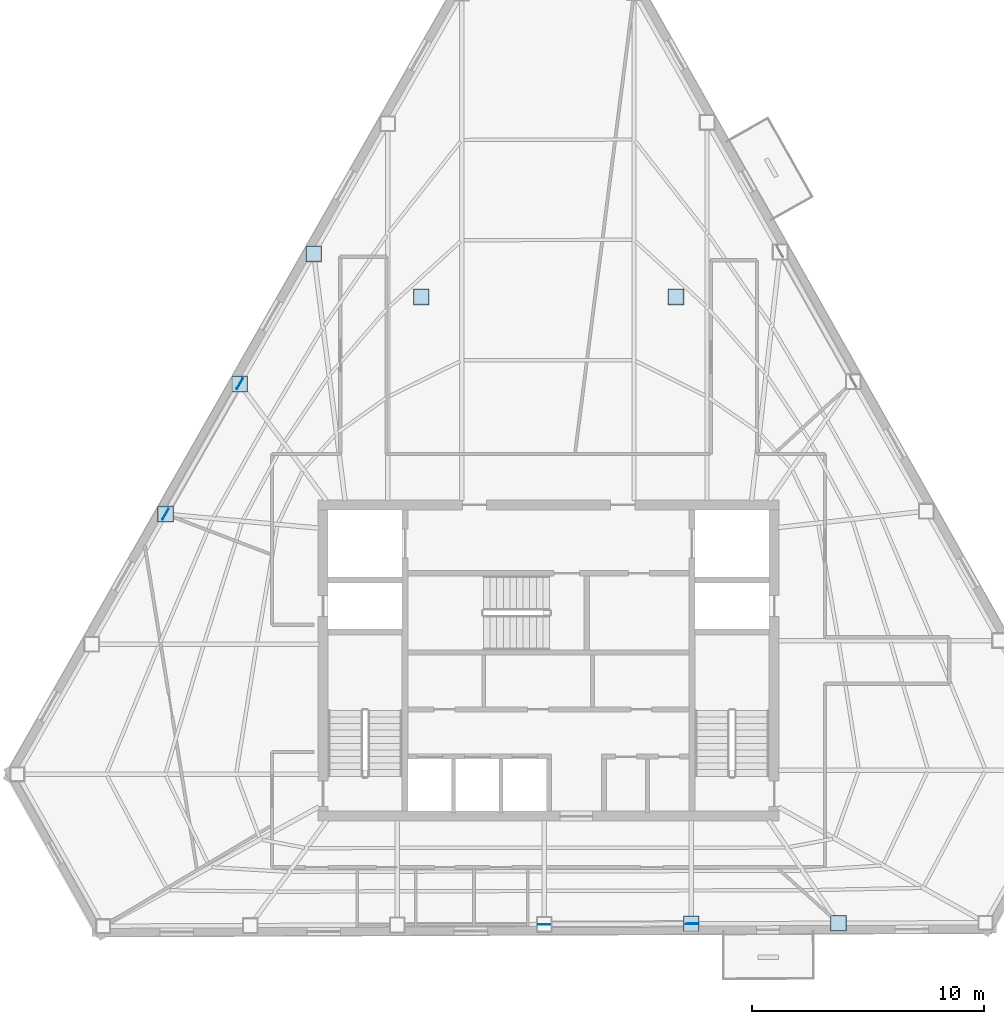
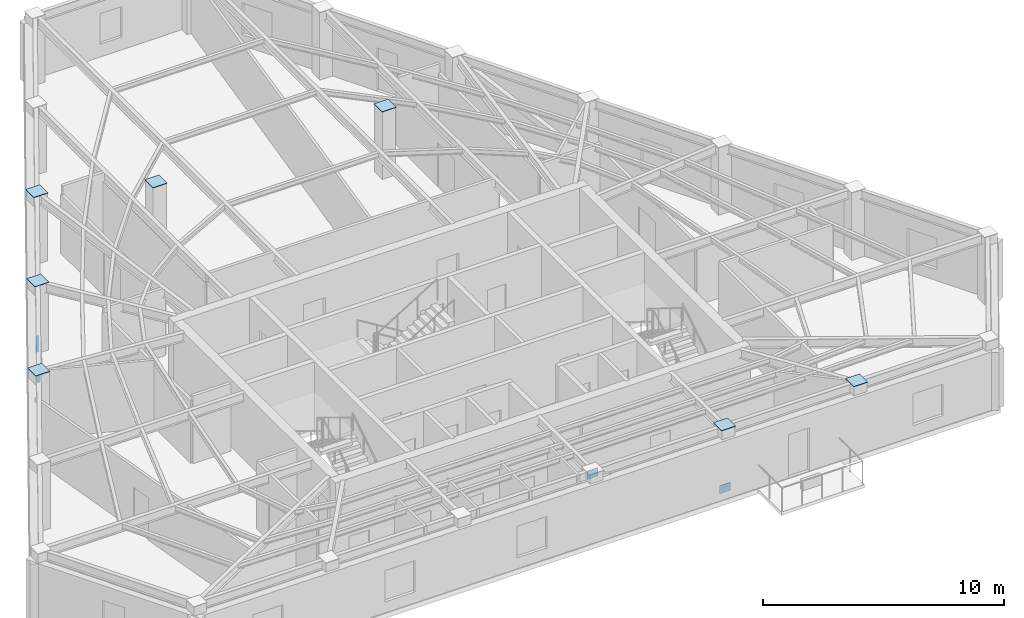
# One storey, part 4 of 10: 11 plates.
"""IFC4 building model written with IfcOpenShell, lengths in metres."""

from ifc_helpers import new_model, si_unit, direction, frame, origin, origin_2d, place, context, subcontext, project, spatial, rectangle, extrude, material, layer, layer_set, type_object, element, save


model = new_model("IFC4")

# Units and contexts
model_context = context("Model", 3, precision=1e-05, world=origin(), true_north=direction((0.0, 1.0)))
body_context = subcontext(model_context, "Body", "Model", "MODEL_VIEW")
ifc_project = project(units=[si_unit("LENGTHUNIT", "METRE"), si_unit("AREAUNIT", "SQUARE_METRE"), si_unit("VOLUMEUNIT", "CUBIC_METRE"), si_unit("PLANEANGLEUNIT", "RADIAN"), si_unit("MASSUNIT", "GRAM", prefix="KILO")], contexts=[model_context])

# Site, building, storey
site_placement = place(None, origin())
site = spatial("IfcSite", under=ifc_project, at=site_placement, CompositionType="ELEMENT")
building_placement = place(site_placement, origin())
building = spatial("IfcBuilding", under=site, at=building_placement, Name="Kavelnor Concourse Tower", CompositionType="ELEMENT")
storey_placement = place(building_placement, frame((0.0, 0.0, 230.449951171875)))
storey = spatial("IfcBuildingStorey", under=building, at=storey_placement, Name="L58", CompositionType="ELEMENT", Elevation=230.449951171875)

# Plates
ifc_material = material(Name="Steel Grade 350", Category="steel")
ifc_layer_1 = layer(ifc_material, 0.031982421875, Name="Steel Grade 350")
ifc_layer_set_1 = layer_set([ifc_layer_1], Name="Steel Grade 350")
plate_type_1 = type_object("IfcPlateType", Name="PL-GUSSET-TUBE-Z1", PredefinedType="USERDEFINED", material=ifc_layer_set_1)
for number, where, z_axis, x_axis, name in (
    (1, (24.66650390625, 28.052001953125, 0.010009765625), (0.0, 0.0, 1.0), (-0.494700455876, -0.869063552887, 0.0), "L58 Tube Brace Gusset GP3 F0-B3 End Gusset A"),
    (2, (21.456298828125, 22.412109375, 2.989990234375), (0.0, 0.0, 1.0), (-0.494700455876, -0.869063552887, 0.0), "L58 Tube Brace Gusset GP3 F0-B3 End Gusset B"),
    (3, (44.177734375, 4.728759765625, 0.010009765625), (0.0, 0.0, 1.0), (-0.999992628267, -0.003839714919, 0.0), "L58 Tube Brace Gusset GP3 F1-B3 End Gusset A"),
    (4, (37.802734375, 4.7041015625, 2.989990234375), (0.0, 0.0, 1.0), (-0.999992628267, -0.003839714919, 0.0), "L58 Tube Brace Gusset GP3 F1-B3 End Gusset B"),
):
    element("IfcPlate", number, at=place(storey_placement, frame(where, z_axis=z_axis, x_axis=x_axis)), inside=storey, type_object=plate_type_1, Name=name, ObjectType="GUSSET_PLATE", PredefinedType="USERDEFINED", context=body_context, shape_type="SweptSolid", body=[
        extrude(rectangle(XDim=0.52001953125, YDim=0.031982421875, at=origin_2d()), origin(), (0.0, 0.0, 1.0), 0.419921875),
    ])
ifc_layer_2 = layer(ifc_material, 0.02490234375, Name="Steel Grade 350")
ifc_layer_set_2 = layer_set([ifc_layer_2], Name="Steel Grade 350")
plate_type_2 = type_object("IfcPlateType", Name="PL-SPLICE-FLANGE", PredefinedType="SHEET", material=ifc_layer_set_2)
for number, where, z_axis, x_axis, name in (
    (5, (27.859375, 33.66064453125, 3.427001953125), (0.0, 0.0, 1.0), (1.0, 0.0, 0.0), "L58 Column Top Cap Plate F0-B2"),
    (6, (24.66064453125, 28.04150390625, 3.427001953125), (0.0, 0.0, 1.0), (1.0, 0.0, 0.0), "L58 Column Top Cap Plate F0-B3"),
    (7, (21.462158203125, 22.42236328125, 3.427001953125), (0.0, 0.0, 1.0), (1.0, 0.0, 0.0), "L58 Column Top Cap Plate F0-B4"),
    (8, (44.165771484375, 4.728759765625, 3.427001953125), (0.0, 0.0, 1.0), (1.0, 0.0, 0.0), "L58 Column Top Cap Plate F1-B4"),
    (9, (50.5166015625, 4.753662109375, 3.427001953125), (0.0, 0.0, 1.0), (1.0, 0.0, 0.0), "L58 Column Top Cap Plate F1-B5"),
    (10, (32.5, 31.800048828125, 3.427001953125), (0.0, 0.0, 1.0), (1.0, 0.0, 0.0), "L58 Interior Column Top Cap BC-NW"),
    (11, (43.5, 31.800048828125, 3.427001953125), (0.0, 0.0, 1.0), (1.0, 0.0, 0.0), "L58 Interior Column Top Cap BC-NE"),
):
    element("IfcPlate", number, at=place(storey_placement, frame(where, z_axis=z_axis, x_axis=x_axis)), inside=storey, type_object=plate_type_2, Name=name, PredefinedType="SHEET", context=body_context, shape_type="SweptSolid", body=[
        extrude(rectangle(XDim=0.679931640625, YDim=0.679931640625, at=origin_2d()), origin(), (0.0, 0.0, 1.0), 0.02490234375),
    ])

save(model, "model.ifc")
